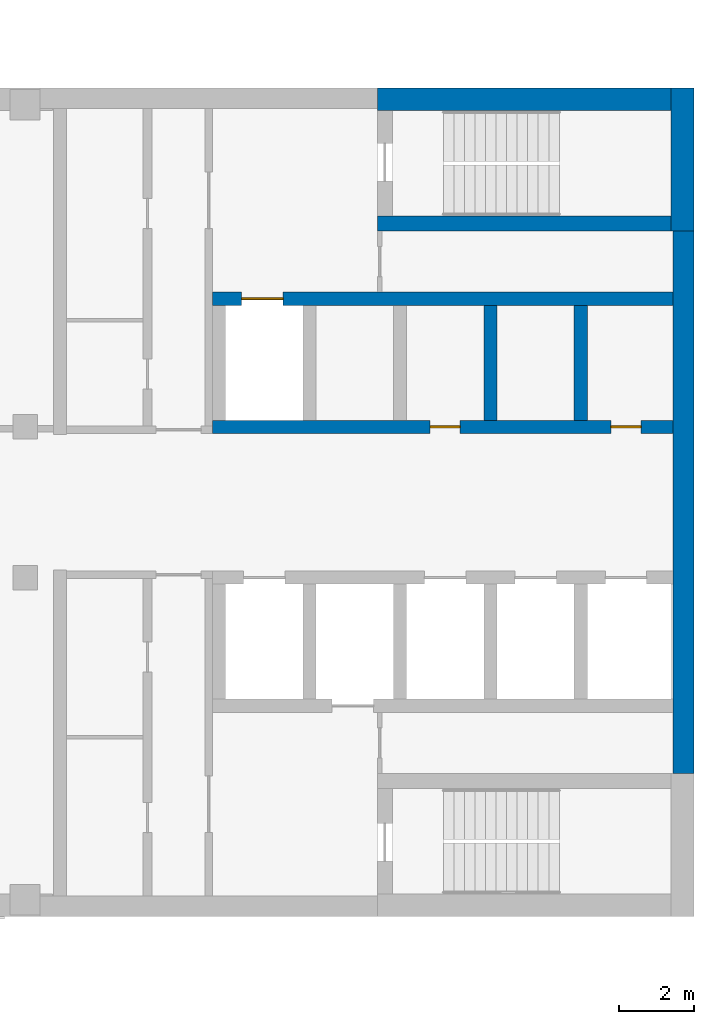
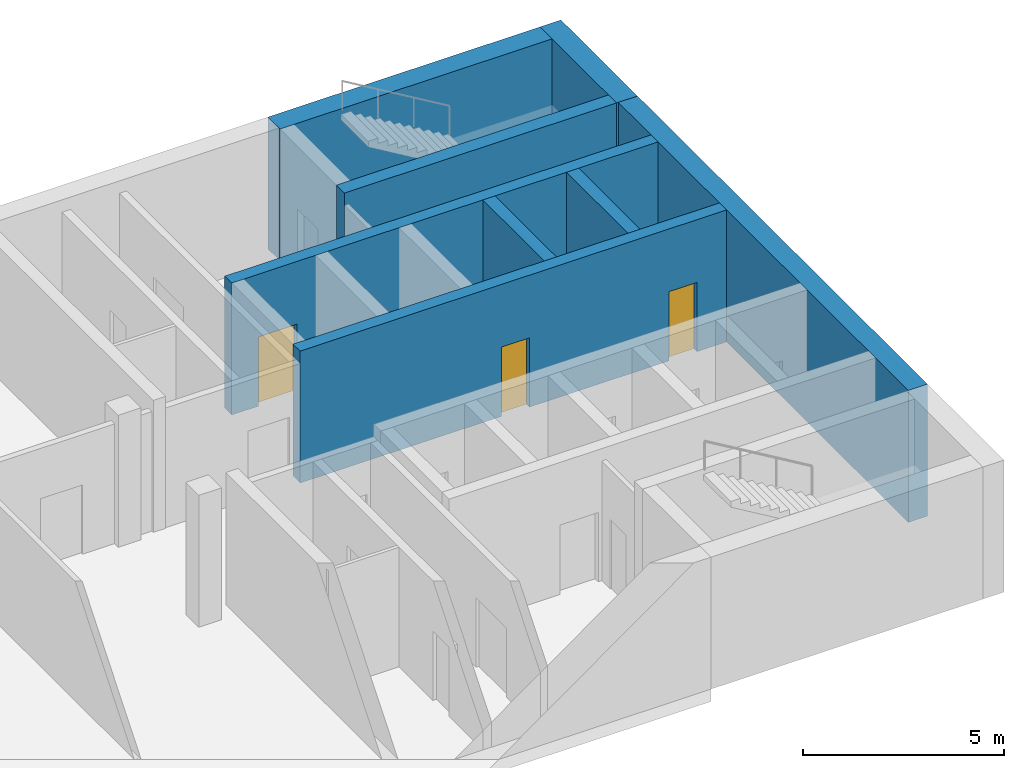
# One storey, part 7 of 11: 8 walls, 3 doors, 3 openings.
"""IFC4 building model written with IfcOpenShell, lengths in metres."""

from ifc_helpers import new_model, si_unit, direction, frame, frame_2d, origin, place, context, subcontext, project, spatial, rectangle, extrude, material, layer, layer_set, type_object, element, fill, save


model = new_model("IFC4")

# Units and contexts
model_context = context("Model", 3, precision=1e-05, world=origin(), true_north=direction((0.0, 1.0)))
body_context = subcontext(model_context, "Body", "Model", "MODEL_VIEW")
ifc_project = project(units=[si_unit("LENGTHUNIT", "METRE"), si_unit("AREAUNIT", "SQUARE_METRE"), si_unit("VOLUMEUNIT", "CUBIC_METRE"), si_unit("PLANEANGLEUNIT", "RADIAN"), si_unit("MASSUNIT", "GRAM", prefix="KILO")], contexts=[model_context])

# Site, building, storey
site_placement = place(None, origin())
site = spatial("IfcSite", under=ifc_project, at=site_placement, CompositionType="ELEMENT")
building_placement = place(site_placement, origin())
building = spatial("IfcBuilding", under=site, at=building_placement, Name="Skarvind Civic Tower", CompositionType="ELEMENT")
storey_placement = place(building_placement, frame((0.0, 0.0, 142.5)))
storey = spatial("IfcBuildingStorey", under=building, at=storey_placement, Name="L33", CompositionType="ELEMENT", Elevation=142.5)

# Wall, openings, doors
ifc_material_1 = material(Name="Concrete C60", Category="concrete")
ifc_layer_1 = layer(ifc_material_1, 0.35009765625)
ifc_layer_set_1 = layer_set([ifc_layer_1], Name="Core wall 350 C60")
wall_type_1 = type_object("IfcWallType", Name="Core wall 350 C60", PredefinedType="SHEAR", material=ifc_layer_set_1)
wall_1_placement = place(storey_placement, frame((107.449951171875, 130.0, 0.0), z_axis=(0.0, 0.0, 1.0), x_axis=(-1.0, 0.0, 0.0)))
wall_1 = element("IfcWall", 1, at=wall_1_placement, inside=storey, type_object=wall_type_1, Name="Core wall C1 south lift row front L33", PredefinedType="SHEAR", context=body_context, shape_type="SweptSolid", body=[
    extrude(rectangle(XDim=12.224853515625, YDim=0.35009765625, at=frame_2d((6.1123046875, 0.0))), origin(), (0.0, 0.0, 1.0), 4.0),
])
opening_1_placement = place(wall_1_placement, frame((0.85009765625, 0.0, 0.0)))
opening_1 = element("IfcOpeningElement", 2, at=opening_1_placement, cuts=wall_1, Name="Opening D-L33-C1-05", PredefinedType="OPENING", context=body_context, shape_type="SweptSolid", body=[
    extrude(rectangle(XDim=0.800048828125, YDim=2.10009765625, at=frame_2d((0.39990234375, 1.050048828125))), frame((0.0, 0.18505859375, 0.0), z_axis=(0.0, -1.0, 0.0), x_axis=(1.0, 0.0, 0.0)), (0.0, 0.0, 1.0), 0.3701171875),
])
opening_2_placement = place(wall_1_placement, frame((5.64990234375, 0.0, 0.0)))
opening_2 = element("IfcOpeningElement", 3, at=opening_2_placement, cuts=wall_1, Name="Opening D-L33-C1-06", PredefinedType="OPENING", context=body_context, shape_type="SweptSolid", body=[
    extrude(rectangle(XDim=0.800048828125, YDim=2.10009765625, at=frame_2d((0.39990234375, 1.050048828125))), frame((0.0, 0.18505859375, 0.0), z_axis=(0.0, -1.0, 0.0), x_axis=(1.0, 0.0, 0.0)), (0.0, 0.0, 1.0), 0.3701171875),
])
ifc_material_2 = material(Name="Fire-rated steel door", Category="steel")
door_type_1 = type_object("IfcDoorType", Name="Core riser door 800", OperationType="NOTDEFINED", PredefinedType="DOOR", material=ifc_material_2)
door_1_placement = place(opening_1_placement, origin())
door_1 = element("IfcDoor", 4, at=door_1_placement, inside=storey, type_object=door_type_1, Name="Riser door", OperationType="SINGLE_SWING_LEFT", OverallHeight=2.10009765625, OverallWidth=0.800048828125, PredefinedType="DOOR", context=body_context, shape_type="SweptSolid", body=[
    extrude(rectangle(XDim=0.800048828125, YDim=2.10009765625, at=frame_2d((0.39990234375, 1.050048828125))), frame((0.0, 0.02490234375, 0.0), z_axis=(0.0, -1.0, 0.0), x_axis=(1.0, 0.0, 0.0)), (0.0, 0.0, 1.0), 0.050048828125),
])
fill(opening_1, door_1)
door_2_placement = place(opening_2_placement, origin())
door_2 = element("IfcDoor", 5, at=door_2_placement, inside=storey, type_object=door_type_1, Name="Riser door", OperationType="SINGLE_SWING_RIGHT", OverallHeight=2.10009765625, OverallWidth=0.800048828125, PredefinedType="DOOR", context=body_context, shape_type="SweptSolid", body=[
    extrude(rectangle(XDim=0.800048828125, YDim=2.10009765625, at=frame_2d((0.39990234375, 1.050048828125))), frame((0.0, 0.02490234375, 0.0), z_axis=(0.0, -1.0, 0.0), x_axis=(1.0, 0.0, 0.0)), (0.0, 0.0, 1.0), 0.050048828125),
])
fill(opening_2, door_2)

# Wall, opening, door
wall_2_placement = place(storey_placement, frame((107.449951171875, 133.39990234375, 0.0), z_axis=(0.0, 0.0, 1.0), x_axis=(-1.0, 0.0, 0.0)))
wall_2 = element("IfcWall", 6, at=wall_2_placement, inside=storey, type_object=wall_type_1, Name="Core wall C1 south lift row back L33", PredefinedType="SHEAR", context=body_context, shape_type="SweptSolid", body=[
    extrude(rectangle(XDim=12.224853515625, YDim=0.35009765625, at=frame_2d((6.1123046875, 0.0))), origin(), (0.0, 0.0, 1.0), 4.0),
])
opening_3_placement = place(wall_2_placement, frame((10.35009765625, 0.0, 0.0)))
opening_3 = element("IfcOpeningElement", 7, at=opening_3_placement, cuts=wall_2, Name="Opening LD35110", PredefinedType="OPENING", context=body_context, shape_type="SweptSolid", body=[
    extrude(rectangle(XDim=1.10009765625, YDim=2.10009765625, at=frame_2d((0.550048828125, 1.050048828125))), frame((0.0, 0.18505859375, 0.0), z_axis=(0.0, -1.0, 0.0), x_axis=(1.0, 0.0, 0.0)), (0.0, 0.0, 1.0), 0.3701171875),
])
ifc_material_3 = material(Name="Stainless steel landing door", Category="steel")
door_type_2 = type_object("IfcDoorType", Name="Lift landing door 1100", OperationType="DOUBLE_DOOR_SLIDING", PredefinedType="DOOR", material=ifc_material_3)
door_3_placement = place(opening_3_placement, origin())
door_3 = element("IfcDoor", 8, at=door_3_placement, inside=storey, type_object=door_type_2, Name="Lift landing door", OperationType="DOUBLE_DOOR_SLIDING", OverallHeight=2.10009765625, OverallWidth=1.10009765625, PredefinedType="DOOR", context=body_context, shape_type="SweptSolid", body=[
    extrude(rectangle(XDim=1.10009765625, YDim=2.10009765625, at=frame_2d((0.550048828125, 1.050048828125))), frame((0.0, 0.02490234375, 0.0), z_axis=(0.0, -1.0, 0.0), x_axis=(1.0, 0.0, 0.0)), (0.0, 0.0, 1.0), 0.050048828125),
])
fill(opening_3, door_3)

# Walls
for number, where, z_axis, x_axis, name in (
    (9, (105.0, 133.22509765625, 0.0), (0.0, 0.0, 1.0), (0.0, -1.0, 0.0), "Core wall C1 south lift row division 1 L33"),
    (10, (102.60009765625, 133.22509765625, 0.0), (0.0, 0.0, 1.0), (0.0, -1.0, 0.0), "Core wall C1 south lift row division 2 L33"),
):
    element("IfcWall", number, at=place(storey_placement, frame(where, z_axis=z_axis, x_axis=x_axis)), inside=storey, type_object=wall_type_1, Name=name, PredefinedType="SHEAR", context=body_context, shape_type="SweptSolid", body=[
        extrude(rectangle(XDim=3.050048828125, YDim=0.35009765625, at=frame_2d((1.52490234375, 0.0))), origin(), (0.0, 0.0, 1.0), 4.0),
    ])
ifc_layer_2 = layer(ifc_material_1, 0.39990234375)
ifc_layer_set_2 = layer_set([ifc_layer_2], Name="Core wall 400 C60")
wall_type_2 = type_object("IfcWallType", Name="Core wall 400 C60", PredefinedType="SHEAR", material=ifc_layer_set_2)
wall_3_placement = place(storey_placement, frame((107.39990234375, 135.39990234375, 0.0), z_axis=(0.0, 0.0, 1.0), x_axis=(-1.0, 0.0, 0.0)))
element("IfcWall", 11, at=wall_3_placement, inside=storey, type_object=wall_type_2, Name="Core wall C1 south stair inner L33", PredefinedType="SHEAR", context=body_context, shape_type="SweptSolid", body=[
    extrude(rectangle(XDim=7.7998046875, YDim=0.39990234375, at=frame_2d((3.89990234375, 0.0))), origin(), (0.0, 0.0, 1.0), 4.0),
])
ifc_layer_3 = layer(ifc_material_1, 0.550048828125)
ifc_layer_set_3 = layer_set([ifc_layer_3], Name="Core wall 550 C60")
wall_type_3 = type_object("IfcWallType", Name="Core wall 550 C60", PredefinedType="SHEAR", material=ifc_layer_set_3)
wall_4_placement = place(storey_placement, frame((107.72509765625, 135.199951171875, 0.0), z_axis=(0.0, 0.0, 1.0), x_axis=(0.0, -1.0, 0.0)))
element("IfcWall", 12, at=wall_4_placement, inside=storey, type_object=wall_type_3, Name="Core wall C1 tip between the stairs L33", PredefinedType="SHEAR", context=body_context, shape_type="SweptSolid", body=[
    extrude(rectangle(XDim=14.39990234375, YDim=0.550048828125, at=frame_2d((7.199951171875, 0.0))), origin(), (0.0, 0.0, 1.0), 4.0),
])
ifc_layer_4 = layer(ifc_material_1, 0.60009765625)
ifc_layer_set_4 = layer_set([ifc_layer_4], Name="Core wall 600 C60")
wall_type_4 = type_object("IfcWallType", Name="Core wall 600 C60", PredefinedType="SHEAR", material=ifc_layer_set_4)
wall_5_placement = place(storey_placement, frame((107.699951171875, 139.0, 0.0), z_axis=(0.0, 0.0, 1.0), x_axis=(0.0, -1.0, 0.0)))
element("IfcWall", 13, at=wall_5_placement, inside=storey, type_object=wall_type_4, Name="Core wall C1 tip at the south stair L33", PredefinedType="SHEAR", context=body_context, shape_type="SweptSolid", body=[
    extrude(rectangle(XDim=3.800048828125, YDim=0.60009765625, at=frame_2d((1.89990234375, 0.0))), origin(), (0.0, 0.0, 1.0), 4.0),
])
wall_6_placement = place(storey_placement, frame((107.39990234375, 138.699951171875, 0.0), z_axis=(0.0, 0.0, 1.0), x_axis=(-1.0, 0.0, 0.0)))
element("IfcWall", 14, at=wall_6_placement, inside=storey, type_object=wall_type_4, Name="Core wall C1 south side at the stair L33", PredefinedType="SHEAR", context=body_context, shape_type="SweptSolid", body=[
    extrude(rectangle(XDim=7.7998046875, YDim=0.60009765625, at=frame_2d((3.89990234375, 0.0))), origin(), (0.0, 0.0, 1.0), 4.0),
])

save(model, "model.ifc")
